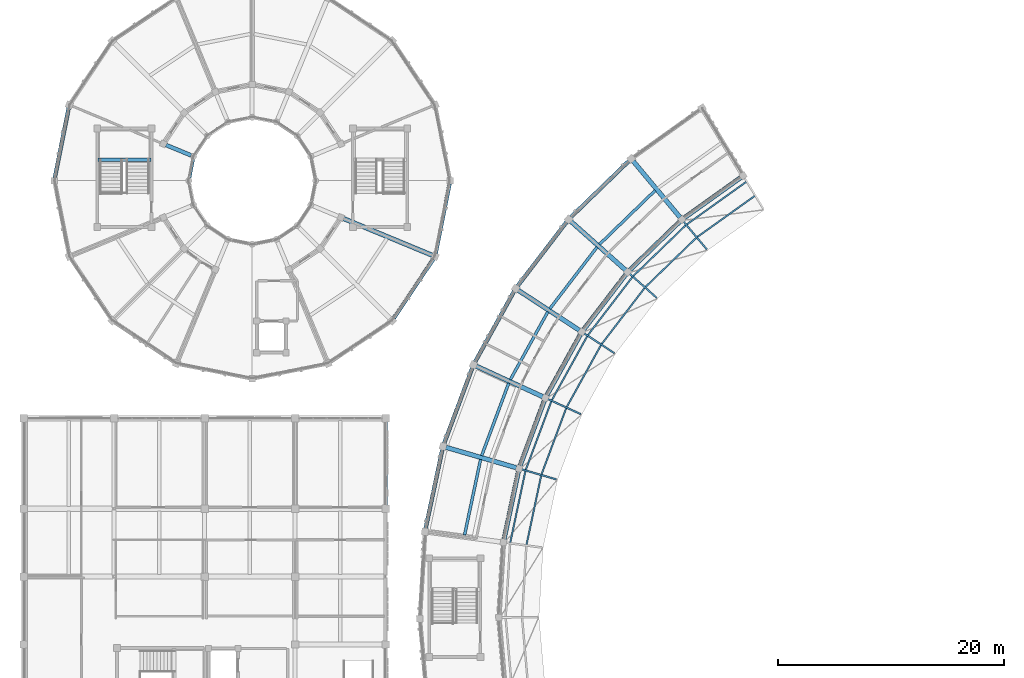
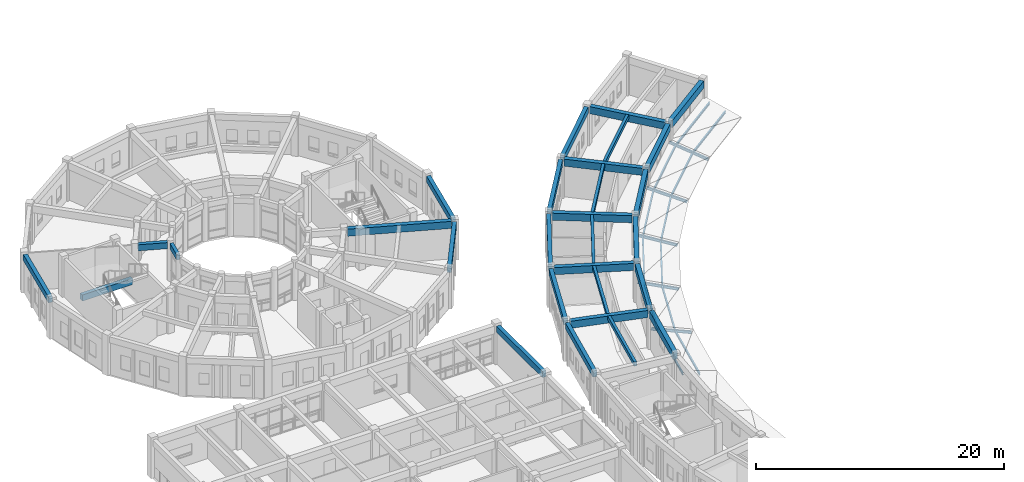
# One storey, part 30 of 112: 29 beams, 17 members.
"""IFC4 building model written with IfcOpenShell, lengths in metres."""

import ifcopenshell
import ifcopenshell.guid

model = None  # the IFC model being written
_history = None  # IfcOwnerHistory: only IFC2X3 demands one
_inside = {}  # id of a spatial element -> (the spatial element, [elements in it])
_under = {}  # id of a project, library or spatial element -> (it, [spatial elements below it])
_declared = {}  # id of a project -> (the project, [libraries it declares])
_typed = {}  # id of a type object -> (the type object, [elements of that type])
_made_of = {}  # id of a material, layer set ... -> (it, [elements and type objects made of it])


def new_model(schema):
    """Start an empty IFC model of exactly this schema.

    Asked for "IFC4X3", IfcOpenShell would pick the latest addendum, in which some entities
    have other attributes; the version numbers below select the first issue.
    IFC2X3 requires an IfcOwnerHistory on every rooted entity: one is made here for all.
    """
    global model, _history
    if schema == "IFC4X3":
        model = ifcopenshell.file(schema_version=(4, 3, 0, 0))
    else:
        model = ifcopenshell.file(schema=schema)
    _inside.clear()
    _under.clear()
    _declared.clear()
    _typed.clear()
    _made_of.clear()
    _history = None
    if model.schema == "IFC2X3":
        org = make("IfcOrganization", Name="unknown")
        user = make(
            "IfcPersonAndOrganization",
            ThePerson=make("IfcPerson", FamilyName="unknown"),
            TheOrganization=org,
        )
        app = make(
            "IfcApplication",
            ApplicationDeveloper=org,
            Version="unknown",
            ApplicationFullName="unknown",
            ApplicationIdentifier="unknown",
        )
        _history = make(
            "IfcOwnerHistory",
            OwningUser=user,
            OwningApplication=app,
            ChangeAction="ADDED",
            CreationDate=0,
        )
    return model


def make(cls, **values):
    """One entity of the class cls with the attributes given. An attribute that is None is left unset."""
    return model.create_entity(
        cls, **{name: value for name, value in values.items() if value is not None}
    )


def rooted(cls, **values):
    """An entity with a GlobalId (a new one), such as an element, a storey or a relation."""
    return make(cls, GlobalId=ifcopenshell.guid.new(), OwnerHistory=_history, **values)


def si_unit(unit_type, name, prefix=None):
    """IfcSIUnit, for example si_unit("LENGTHUNIT", "METRE", prefix="MILLI")."""
    return make("IfcSIUnit", UnitType=unit_type, Prefix=prefix, Name=name)


def assignment(units):
    """IfcUnitAssignment: the units of a project."""
    return None if units is None else make("IfcUnitAssignment", Units=units)


def point(xyz):
    """IfcCartesianPoint."""
    return None if xyz is None else make("IfcCartesianPoint", Coordinates=xyz)


def direction(xyz):
    """IfcDirection."""
    return None if xyz is None else make("IfcDirection", DirectionRatios=xyz)


def frame(location, z_axis=None, x_axis=None):
    """IfcAxis2Placement3D, a coordinate frame: its origin and axes. An axis left out is left unset."""
    return make(
        "IfcAxis2Placement3D",
        Location=point(location),
        Axis=direction(z_axis),
        RefDirection=direction(x_axis),
    )


def frame_2d(location, x_axis=None):
    """IfcAxis2Placement2D, a coordinate frame in the plane: its origin and x axis."""
    return make(
        "IfcAxis2Placement2D", Location=point(location), RefDirection=direction(x_axis)
    )


def origin():
    """The frame at (0, 0, 0) with its axes left unset."""
    return frame((0.0, 0.0, 0.0))


def origin_2d():
    """The frame at (0, 0) in the plane with its x axis left unset."""
    return frame_2d((0.0, 0.0))


def place(relative_to, where):
    """IfcLocalPlacement: puts the frame where relative to a parent placement (None: the world)."""
    return make(
        "IfcLocalPlacement", PlacementRelTo=relative_to, RelativePlacement=where
    )


def context(
    kind, dimensions, precision=None, world=None, true_north=None, identifier=None
):
    """IfcGeometricRepresentationContext, for example the 3D "Model" context."""
    return make(
        "IfcGeometricRepresentationContext",
        ContextIdentifier=identifier,
        ContextType=kind,
        CoordinateSpaceDimension=dimensions,
        Precision=precision,
        WorldCoordinateSystem=world,
        TrueNorth=true_north,
    )


def subcontext(parent, identifier, kind, view, scale=None):
    """IfcGeometricRepresentationSubContext, for example "Body" below "Model"."""
    return make(
        "IfcGeometricRepresentationSubContext",
        ContextIdentifier=identifier,
        ContextType=kind,
        ParentContext=parent,
        TargetScale=scale,
        TargetView=view,
    )


def project(units=None, contexts=None):
    """IfcProject with its units and contexts."""
    return rooted(
        "IfcProject",
        Name="project",
        RepresentationContexts=contexts,
        UnitsInContext=assignment(units),
    )


def spatial(cls, under=None, at=None, **own):
    """A site, building, storey or space (cls), placed at a placement, below another one or the project."""
    s = rooted(cls, ObjectPlacement=at, **own)
    if under is not None:
        _under.setdefault(under.id(), (under, []))[1].append(s)
    return s


def profile(cls, at=None, kind="AREA", **sizes):
    """A parametric profile (cls). Its sizes go by their IFC names, for example OverallWidth=200.0."""
    return make(cls, ProfileType=kind, Position=at, **sizes)


def rectangle(**sizes):
    """IfcRectangleProfileDef."""
    return profile("IfcRectangleProfileDef", **sizes)


def i_section(**sizes):
    """IfcIShapeProfileDef."""
    return profile("IfcIShapeProfileDef", **sizes)


def extrude(swept, where, along, depth):
    """IfcExtrudedAreaSolid: the profile swept, set in the frame where, extruded along a direction by depth."""
    return make(
        "IfcExtrudedAreaSolid",
        SweptArea=swept,
        Position=where,
        ExtrudedDirection=direction(along),
        Depth=depth,
    )


def shape(context_of_items, identifier, shape_type, items):
    """IfcShapeRepresentation: the items that make up one representation, for example the "Body"."""
    return make(
        "IfcShapeRepresentation",
        ContextOfItems=context_of_items,
        RepresentationIdentifier=identifier,
        RepresentationType=shape_type,
        Items=items,
    )


def material(Name=None, Category=None):
    """IfcMaterial."""
    return make("IfcMaterial", Name=Name, Category=Category)


def material_profile(
    of_material, cross_section, Name=None, Category=None, Priority=None
):
    """IfcMaterialProfile: a cross section and its material."""
    return make(
        "IfcMaterialProfile",
        Name=Name,
        Material=of_material,
        Profile=cross_section,
        Priority=Priority,
        Category=Category,
    )


def profile_set(profiles, Name=None, composite=None):
    """IfcMaterialProfileSet."""
    return make(
        "IfcMaterialProfileSet",
        Name=Name,
        MaterialProfiles=profiles,
        CompositeProfile=composite,
    )


def made_of(thing, what):
    """Note that an element or type object is made of a material, layer set ...; save() writes the relation."""
    if what is not None:
        _made_of.setdefault(what.id(), (what, []))[1].append(thing)
    return thing


def type_object(cls, material=None, **own):
    """A type object (cls), such as IfcWallType, which elements share."""
    return made_of(rooted(cls, **own), material)


def element(
    cls,
    number,
    at=None,
    inside=None,
    cuts=None,
    type_object=None,
    material=None,
    context=None,
    identifier="Body",
    shape_type=None,
    held_by="IfcProductDefinitionShape",
    body=None,
    shapes=None,
    **own,
):
    """One element of the class cls, such as IfcWall. Its Tag is "e" and its number.

    at: its placement. inside: the storey or other place that contains it. cuts: it is an
    opening in that element (IfcRelVoidsElement). A single representation is given by context,
    identifier, shape_type and body (its items); several are given by shapes. held_by: the class
    of the entity that holds the representations. save() writes the other relations.
    """
    e = rooted(cls, Tag="e%d" % number, ObjectPlacement=at, **own)
    if body is not None:
        shapes = [shape(context, identifier, shape_type, body)]
    if shapes is not None:
        e.Representation = make(held_by, Representations=shapes)
    if inside is not None:
        _inside.setdefault(inside.id(), (inside, []))[1].append(e)
    if cuts is not None:
        rooted(
            "IfcRelVoidsElement", RelatingBuildingElement=cuts, RelatedOpeningElement=e
        )
    if type_object is not None:
        _typed.setdefault(type_object.id(), (type_object, []))[1].append(e)
    return made_of(e, material)


def aggregate(whole, parts):
    """IfcRelAggregates: a whole, such as a stair, and the parts it consists of."""
    return rooted("IfcRelAggregates", RelatingObject=whole, RelatedObjects=parts)


def save(model, path):
    """Write the relations noted so far, then the file.

    IfcRelAggregates (storeys below a building ...), IfcRelContainedInSpatialStructure (elements
    in a storey), IfcRelDefinesByType, IfcRelAssociatesMaterial and IfcRelDeclares: one each for
    every whole, place, type object, material and project.
    """
    for whole, parts in _under.values():
        aggregate(whole, parts)
    for where, things in _inside.values():
        rooted(
            "IfcRelContainedInSpatialStructure",
            RelatedElements=things,
            RelatingStructure=where,
        )
    for kind, things in _typed.values():
        rooted("IfcRelDefinesByType", RelatedObjects=things, RelatingType=kind)
    for what, things in _made_of.values():
        rooted("IfcRelAssociatesMaterial", RelatedObjects=things, RelatingMaterial=what)
    for by, libraries in _declared.values():
        rooted("IfcRelDeclares", RelatingContext=by, RelatedDefinitions=libraries)
    model.write(path)


model = new_model("IFC4")

# Units and contexts
model_context = context("Model", 3, precision=1e-05, world=origin(), true_north=direction((0.0, 1.0)))
body_context = subcontext(model_context, "Body", "Model", "MODEL_VIEW")
ifc_project = project(units=[si_unit("LENGTHUNIT", "METRE"), si_unit("AREAUNIT", "SQUARE_METRE"), si_unit("VOLUMEUNIT", "CUBIC_METRE"), si_unit("PLANEANGLEUNIT", "RADIAN"), si_unit("MASSUNIT", "GRAM", prefix="KILO")], contexts=[model_context])

# Site, building, storey
site_placement = place(None, origin())
site = spatial("IfcSite", under=ifc_project, at=site_placement, CompositionType="ELEMENT")
building_placement = place(site_placement, origin())
building = spatial("IfcBuilding", under=site, at=building_placement, Name="Celadon Cloister-Ring School", CompositionType="ELEMENT")
storey_placement = place(building_placement, frame((0.0, 0.0, 8.5)))
storey = spatial("IfcBuildingStorey", under=building, at=storey_placement, Name="L02", CompositionType="ELEMENT", Elevation=8.5)

# Beams
ifc_material_1 = material(Name="Concrete C35/45", Category="concrete")
ifc_material_profile_1 = material_profile(ifc_material_1, rectangle(XDim=0.35009765625, YDim=0.60009765625, at=origin_2d()), Name="RC350X600")
ifc_profile_set_1 = profile_set([ifc_material_profile_1], Name="Concrete C35/45")
beam_type_1 = type_object("IfcBeamType", Name="BT-02", PredefinedType="BEAM", material=ifc_profile_set_1)
beam_1_placement = place(storey_placement, frame((12.577880859375, 100.156982421875, 3.47998046875), z_axis=(0.923932522988, -0.382555476978, 0.0), x_axis=(0.382555476978, 0.923932522988, 0.0)))
element("IfcBeam", 1, at=beam_1_placement, inside=storey, type_object=beam_type_1, Name="Beam 0745", PredefinedType="BEAM", context=body_context, shape_type="SweptSolid", body=[
    extrude(rectangle(XDim=0.35009765625, YDim=0.60009765625, at=origin_2d()), origin(), (0.0, 0.0, 1.0), 2.399658203125),
])
beam_2_placement = place(storey_placement, frame((32.0, 68.300048828125, 3.4599609375), z_axis=(0.0, 1.0, 0.0), x_axis=(-1.0, 0.0, 0.0)))
element("IfcBeam", 2, at=beam_2_placement, inside=storey, type_object=beam_type_1, Name="Beam 1593", PredefinedType="BEAM", context=body_context, shape_type="SweptSolid", body=[
    extrude(rectangle(XDim=0.35009765625, YDim=0.60009765625, at=origin_2d()), origin(), (0.0, 0.0, 1.0), 7.39990234375),
])
beam_3_placement = place(storey_placement, frame((6.550048828125, 98.85009765625, 1.419921875), z_axis=(1.0, 0.0, 0.0), x_axis=(0.0, 1.0, 0.0)))
element("IfcBeam", 3, at=beam_3_placement, inside=storey, type_object=beam_type_1, Name="Stair Landing Beam 1739", PredefinedType="BEAM", context=body_context, shape_type="SweptSolid", body=[
    extrude(rectangle(XDim=0.35009765625, YDim=0.60009765625, at=origin_2d()), origin(), (0.0, 0.0, 1.0), 4.699951171875),
])
ifc_material_2 = material(Name="Concrete C35/45", Category="concrete")
ifc_material_profile_2 = material_profile(ifc_material_2, rectangle(XDim=0.39990234375, YDim=0.699951171875, at=origin_2d()), Name="RC400X700")
ifc_profile_set_2 = profile_set([ifc_material_profile_2], Name="Concrete C35/45")
beam_type_2 = type_object("IfcBeamType", Name="GT-03", PredefinedType="USERDEFINED", material=ifc_profile_set_2)
beam_4_placement = place(storey_placement, frame((53.87890625, 98.72998046875, 3.449951171875), z_axis=(0.640358705807, -0.768075990965, 0.0), x_axis=(0.768075990965, 0.640358705807, 0.0)))
element("IfcBeam", 4, at=beam_4_placement, inside=storey, type_object=beam_type_2, Name="Beam 0398", ObjectType="GIRDER", PredefinedType="USERDEFINED", context=body_context, shape_type="SweptSolid", body=[
    extrude(rectangle(XDim=0.39990234375, YDim=0.699951171875, at=origin_2d()), origin(), (0.0, 0.0, 1.0), 6.474609375),
])
beam_5_placement = place(storey_placement, frame((48.373046875, 93.40087890625, 3.449951171875), z_axis=(0.746707851449, -0.665152151455, 0.0), x_axis=(0.665152151455, 0.746707851449, 0.0)))
element("IfcBeam", 5, at=beam_5_placement, inside=storey, type_object=beam_type_2, Name="Beam 0399", ObjectType="GIRDER", PredefinedType="USERDEFINED", context=body_context, shape_type="SweptSolid", body=[
    extrude(rectangle(XDim=0.39990234375, YDim=0.699951171875, at=origin_2d()), origin(), (0.0, 0.0, 1.0), 6.47509765625),
])
beam_6_placement = place(storey_placement, frame((43.714111328125, 87.31591796875, 3.449951171875), z_axis=(0.836913813129, -0.547334695953, 0.0), x_axis=(0.547334695953, 0.836913813129, 0.0)))
element("IfcBeam", 6, at=beam_6_placement, inside=storey, type_object=beam_type_2, Name="Beam 0400", ObjectType="GIRDER", PredefinedType="USERDEFINED", context=body_context, shape_type="SweptSolid", body=[
    extrude(rectangle(XDim=0.39990234375, YDim=0.699951171875, at=origin_2d()), origin(), (0.0, 0.0, 1.0), 6.474853515625),
])
beam_7_placement = place(storey_placement, frame((40.006103515625, 80.611083984375, 3.449951171875), z_axis=(0.908492742979, -0.417900629282, 0.0), x_axis=(0.417900629282, 0.908492742979, 0.0)))
element("IfcBeam", 7, at=beam_7_placement, inside=storey, type_object=beam_type_2, Name="Beam 0401", ObjectType="GIRDER", PredefinedType="USERDEFINED", context=body_context, shape_type="SweptSolid", body=[
    extrude(rectangle(XDim=0.39990234375, YDim=0.699951171875, at=origin_2d()), origin(), (0.0, 0.0, 1.0), 6.475341796875),
])
beam_8_placement = place(storey_placement, frame((37.3291015625, 73.430908203125, 3.449951171875), z_axis=(0.960318214268, -0.278906664217, 0.0), x_axis=(0.278906664217, 0.960318214268, 0.0)))
element("IfcBeam", 8, at=beam_8_placement, inside=storey, type_object=beam_type_2, Name="Beam 0402", ObjectType="GIRDER", PredefinedType="USERDEFINED", context=body_context, shape_type="SweptSolid", body=[
    extrude(rectangle(XDim=0.39990234375, YDim=0.699951171875, at=origin_2d()), origin(), (0.0, 0.0, 1.0), 6.474853515625),
])
beam_9_placement = place(storey_placement, frame((63.405029296875, 97.297119140625, 3.449951171875), z_axis=(-0.813463245268, -0.58161632422, 0.0), x_axis=(0.58161632422, -0.813463245268, 0.0)))
element("IfcBeam", 9, at=beam_9_placement, inside=storey, type_object=beam_type_2, Name="Beam 0430", ObjectType="GIRDER", PredefinedType="USERDEFINED", context=body_context, shape_type="SweptSolid", body=[
    extrude(rectangle(XDim=0.39990234375, YDim=0.699951171875, at=origin_2d()), origin(), (0.0, 0.0, 1.0), 6.16748046875),
])
beam_10_placement = place(storey_placement, frame((58.0048828125, 93.39111328125, 3.449951171875), z_axis=(-0.718437447035, -0.695591571756, 0.0), x_axis=(0.695591571756, -0.718437447035, 0.0)))
element("IfcBeam", 10, at=beam_10_placement, inside=storey, type_object=beam_type_2, Name="Beam 0433", ObjectType="GIRDER", PredefinedType="USERDEFINED", context=body_context, shape_type="SweptSolid", body=[
    extrude(rectangle(XDim=0.39990234375, YDim=0.699951171875, at=origin_2d()), origin(), (0.0, 0.0, 1.0), 6.166015625),
])
beam_11_placement = place(storey_placement, frame((53.242919921875, 88.72998046875, 3.449951171875), z_axis=(-0.607887885185, -0.794022870606, 0.0), x_axis=(0.794022870606, -0.607887885185, 0.0)))
element("IfcBeam", 11, at=beam_11_placement, inside=storey, type_object=beam_type_2, Name="Beam 0436", ObjectType="GIRDER", PredefinedType="USERDEFINED", context=body_context, shape_type="SweptSolid", body=[
    extrude(rectangle(XDim=0.39990234375, YDim=0.699951171875, at=origin_2d()), origin(), (0.0, 0.0, 1.0), 6.167236328125),
])
beam_12_placement = place(storey_placement, frame((49.220947265625, 83.416015625, 3.449951171875), z_axis=(-0.483920761049, -0.875111819727, 0.0), x_axis=(0.875111819727, -0.483920761049, 0.0)))
element("IfcBeam", 12, at=beam_12_placement, inside=storey, type_object=beam_type_2, Name="Beam 0439", ObjectType="GIRDER", PredefinedType="USERDEFINED", context=body_context, shape_type="SweptSolid", body=[
    extrude(rectangle(XDim=0.39990234375, YDim=0.699951171875, at=origin_2d()), origin(), (0.0, 0.0, 1.0), 6.166015625),
])
for number, where, z_axis, x_axis, name in (
    (13, (46.029052734375, 77.56689453125, 3.449951171875), (-0.349465513072, -0.936949227639, 0.0), (0.936949227639, -0.349465513072, 0.0), "Beam 0442"),
    (14, (43.735107421875, 71.31005859375, 3.449951171875), (-0.207097779253, -0.978320249115, 0.0), (0.978320249115, -0.207097779253, 0.0), "Beam 0445"),
):
    element("IfcBeam", number, at=place(storey_placement, frame(where, z_axis=z_axis, x_axis=x_axis)), inside=storey, type_object=beam_type_2, Name=name, ObjectType="GIRDER", PredefinedType="USERDEFINED", context=body_context, shape_type="SweptSolid", body=[
        extrude(rectangle(XDim=0.39990234375, YDim=0.699951171875, at=origin_2d()), origin(), (0.0, 0.0, 1.0), 6.166748046875),
    ])
beam_13_placement = place(storey_placement, frame((36.114013671875, 90.407958984375, 3.429931640625), z_axis=(-0.923896411609, 0.382642680076, 0.0), x_axis=(-0.382642680076, -0.923896411609, 0.0)))
element("IfcBeam", 15, at=beam_13_placement, inside=storey, type_object=beam_type_2, Name="Beam 0756", ObjectType="GIRDER", PredefinedType="USERDEFINED", context=body_context, shape_type="SweptSolid", body=[
    extrude(rectangle(XDim=0.39990234375, YDim=0.699951171875, at=origin_2d()), origin(), (0.0, 0.0, 1.0), 8.47509765625),
])
ifc_material_3 = material(Name="Concrete C35/45", Category="concrete")
ifc_material_profile_3 = material_profile(ifc_material_3, rectangle(XDim=0.25, YDim=0.39990234375, at=origin_2d()), Name="RC250X400")
ifc_profile_set_3 = profile_set([ifc_material_profile_3], Name="Concrete C35/45")
beam_type_3 = type_object("IfcBeamType", Name="JT-02", PredefinedType="JOIST", material=ifc_profile_set_3)
beam_14_placement = place(storey_placement, frame((55.818115234375, 96.131103515625, 3.60009765625), z_axis=(-0.718568166396, -0.695456533683, 0.0), x_axis=(0.695456533683, -0.718568166396, 0.0)))
element("IfcBeam", 16, at=beam_14_placement, inside=storey, type_object=beam_type_3, Name="Beam 0434", PredefinedType="JOIST", context=body_context, shape_type="SweptSolid", body=[
    extrude(rectangle(XDim=0.25, YDim=0.39990234375, at=origin_2d()), origin(), (0.0, 0.0, 1.0), 6.834716796875),
])
beam_15_placement = place(storey_placement, frame((50.675048828125, 91.116943359375, 3.60009765625), z_axis=(-0.607998808463, -0.793937937692, 0.0), x_axis=(0.793937937692, -0.607998808463, 0.0)))
element("IfcBeam", 17, at=beam_15_placement, inside=storey, type_object=beam_type_3, Name="Beam 0437", PredefinedType="JOIST", context=body_context, shape_type="SweptSolid", body=[
    extrude(rectangle(XDim=0.25, YDim=0.39990234375, at=origin_2d()), origin(), (0.0, 0.0, 1.0), 6.83544921875),
])
beam_16_placement = place(storey_placement, frame((46.327880859375, 85.39794921875, 3.60009765625), z_axis=(-0.483807076249, -0.875174675692, 0.0), x_axis=(0.875174675692, -0.483807076249, 0.0)))
element("IfcBeam", 18, at=beam_16_placement, inside=storey, type_object=beam_type_3, Name="Beam 0440", PredefinedType="JOIST", context=body_context, shape_type="SweptSolid", body=[
    extrude(rectangle(XDim=0.25, YDim=0.39990234375, at=origin_2d()), origin(), (0.0, 0.0, 1.0), 6.835205078125),
])
beam_17_placement = place(storey_placement, frame((42.875, 79.09912109375, 3.60009765625), z_axis=(-0.349380854663, -0.936980799374, 0.0), x_axis=(0.936980799374, -0.349380854663, 0.0)))
element("IfcBeam", 19, at=beam_17_placement, inside=storey, type_object=beam_type_3, Name="Beam 0443", PredefinedType="JOIST", context=body_context, shape_type="SweptSolid", body=[
    extrude(rectangle(XDim=0.25, YDim=0.39990234375, at=origin_2d()), origin(), (0.0, 0.0, 1.0), 6.834716796875),
])
beam_18_placement = place(storey_placement, frame((40.389892578125, 72.360107421875, 3.60009765625), z_axis=(-0.20712821328, -0.978313806129, 0.0), x_axis=(0.978313806129, -0.20712821328, 0.0)))
element("IfcBeam", 20, at=beam_18_placement, inside=storey, type_object=beam_type_3, Name="Beam 0446", PredefinedType="JOIST", context=body_context, shape_type="SweptSolid", body=[
    extrude(rectangle(XDim=0.25, YDim=0.39990234375, at=origin_2d()), origin(), (0.0, 0.0, 1.0), 6.835205078125),
])

# Members
ifc_material_4 = material(Name="Structural steel S355JR", Category="steel")
ifc_material_profile_4 = material_profile(ifc_material_4, i_section(OverallWidth=0.133056640625, OverallDepth=0.20703125, WebThickness=0.005859375, FlangeThickness=0.00830078125, at=origin_2d()), Name="W200X27")
ifc_profile_set_4 = profile_set([ifc_material_profile_4], Name="Structural steel S355JR")
member_type_1 = type_object("IfcMemberType", Name="MP-04", PredefinedType="PURLIN", material=ifc_profile_set_4)
member_1_placement = place(storey_placement, frame((64.674072265625, 95.69091796875, 1.23291015625), z_axis=(-0.813453389474, -0.581630108534, 0.0), x_axis=(0.581630108534, -0.813453389474, 0.0)))
element("IfcMember", 21, at=member_1_placement, inside=storey, type_object=member_type_1, Name="Structural Member 0073", PredefinedType="PURLIN", context=body_context, shape_type="SweptSolid", body=[
    extrude(i_section(OverallWidth=0.133056640625, OverallDepth=0.20703125, WebThickness=0.005859375, FlangeThickness=0.00830078125, at=origin_2d()), origin(), (0.0, 0.0, 1.0), 6.363037109375),
])
member_2_placement = place(storey_placement, frame((63.919921875, 96.929931640625, 1.62890625), z_axis=(-0.813402272309, -0.581701593089, 0.0), x_axis=(0.581701593089, -0.813402272309, 0.0)))
element("IfcMember", 22, at=member_2_placement, inside=storey, type_object=member_type_1, Name="Structural Member 0074", PredefinedType="PURLIN", context=body_context, shape_type="SweptSolid", body=[
    extrude(i_section(OverallWidth=0.133056640625, OverallDepth=0.20703125, WebThickness=0.005859375, FlangeThickness=0.00830078125, at=origin_2d()), origin(), (0.0, 0.0, 1.0), 6.5771484375),
])
member_3_placement = place(storey_placement, frame((59.498046875, 91.989990234375, 1.23291015625), z_axis=(-0.71856193518, -0.695462971919, 0.0), x_axis=(0.695462971919, -0.71856193518, 0.0)))
element("IfcMember", 23, at=member_3_placement, inside=storey, type_object=member_type_1, Name="Structural Member 0079", PredefinedType="PURLIN", context=body_context, shape_type="SweptSolid", body=[
    extrude(i_section(OverallWidth=0.133056640625, OverallDepth=0.20703125, WebThickness=0.005859375, FlangeThickness=0.00830078125, at=origin_2d()), origin(), (0.0, 0.0, 1.0), 6.36279296875),
])
member_4_placement = place(storey_placement, frame((58.570068359375, 93.10400390625, 1.62890625), z_axis=(-0.718572826018, -0.695451719179, 0.0), x_axis=(0.695451719179, -0.718572826018, 0.0)))
element("IfcMember", 24, at=member_4_placement, inside=storey, type_object=member_type_1, Name="Structural Member 0080", PredefinedType="PURLIN", context=body_context, shape_type="SweptSolid", body=[
    extrude(i_section(OverallWidth=0.133056640625, OverallDepth=0.20703125, WebThickness=0.005859375, FlangeThickness=0.00830078125, at=origin_2d()), origin(), (0.0, 0.0, 1.0), 6.578369140625),
])
member_5_placement = place(storey_placement, frame((54.926025390625, 87.56494140625, 1.23291015625), z_axis=(-0.607908612819, -0.794007001519, 0.0), x_axis=(0.794007001519, -0.607908612819, 0.0)))
element("IfcMember", 25, at=member_5_placement, inside=storey, type_object=member_type_1, Name="Structural Member 0084", PredefinedType="PURLIN", context=body_context, shape_type="SweptSolid", body=[
    extrude(i_section(OverallWidth=0.133056640625, OverallDepth=0.20703125, WebThickness=0.005859375, FlangeThickness=0.00830078125, at=origin_2d()), origin(), (0.0, 0.0, 1.0), 6.362548828125),
])
member_6_placement = place(storey_placement, frame((53.843017578125, 88.529052734375, 1.62890625), z_axis=(-0.607987283215, -0.793946763612, 0.0), x_axis=(0.793946763612, -0.607987283215, 0.0)))
element("IfcMember", 26, at=member_6_placement, inside=storey, type_object=member_type_1, Name="Structural Member 0085", PredefinedType="PURLIN", context=body_context, shape_type="SweptSolid", body=[
    extrude(i_section(OverallWidth=0.133056640625, OverallDepth=0.20703125, WebThickness=0.005859375, FlangeThickness=0.00830078125, at=origin_2d()), origin(), (0.0, 0.0, 1.0), 6.577392578125),
])
member_7_placement = place(storey_placement, frame((51.05810546875, 82.512939453125, 1.23291015625), z_axis=(-0.484058884886, -0.875035425547, 0.0), x_axis=(0.875035425547, -0.484058884886, 0.0)))
element("IfcMember", 27, at=member_7_placement, inside=storey, type_object=member_type_1, Name="Structural Member 0089", PredefinedType="PURLIN", context=body_context, shape_type="SweptSolid", body=[
    extrude(i_section(OverallWidth=0.133056640625, OverallDepth=0.20703125, WebThickness=0.005859375, FlangeThickness=0.00830078125, at=origin_2d()), origin(), (0.0, 0.0, 1.0), 6.363037109375),
])
member_8_placement = place(storey_placement, frame((49.843994140625, 83.306884765625, 1.62890625), z_axis=(-0.483883617115, -0.875132358611, 0.0), x_axis=(0.875132358611, -0.483883617115, 0.0)))
element("IfcMember", 28, at=member_8_placement, inside=storey, type_object=member_type_1, Name="Structural Member 0090", PredefinedType="PURLIN", context=body_context, shape_type="SweptSolid", body=[
    extrude(i_section(OverallWidth=0.133056640625, OverallDepth=0.20703125, WebThickness=0.005859375, FlangeThickness=0.00830078125, at=origin_2d()), origin(), (0.0, 0.0, 1.0), 6.578125),
])
member_9_placement = place(storey_placement, frame((47.97802734375, 76.945068359375, 1.23291015625), z_axis=(-0.349377881864, -0.936981907864, 0.0), x_axis=(0.936981907864, -0.349377881864, 0.0)))
element("IfcMember", 29, at=member_9_placement, inside=storey, type_object=member_type_1, Name="Structural Member 0094", PredefinedType="PURLIN", context=body_context, shape_type="SweptSolid", body=[
    extrude(i_section(OverallWidth=0.133056640625, OverallDepth=0.20703125, WebThickness=0.005859375, FlangeThickness=0.00830078125, at=origin_2d()), origin(), (0.0, 0.0, 1.0), 6.363037109375),
])
member_10_placement = place(storey_placement, frame((46.660888671875, 77.550048828125, 1.62890625), z_axis=(-0.349349310127, -0.936992561077, 0.0), x_axis=(0.936992561077, -0.349349310127, 0.0)))
element("IfcMember", 30, at=member_10_placement, inside=storey, type_object=member_type_1, Name="Structural Member 0095", PredefinedType="PURLIN", context=body_context, shape_type="SweptSolid", body=[
    extrude(i_section(OverallWidth=0.133056640625, OverallDepth=0.20703125, WebThickness=0.005859375, FlangeThickness=0.00830078125, at=origin_2d()), origin(), (0.0, 0.0, 1.0), 6.57763671875),
])
member_11_placement = place(storey_placement, frame((45.7548828125, 70.98291015625, 1.23291015625), z_axis=(-0.206973423298, -0.978346565409, 0.0), x_axis=(0.978346565409, -0.206973423298, 0.0)))
element("IfcMember", 31, at=member_11_placement, inside=storey, type_object=member_type_1, Name="Structural Member 0099", PredefinedType="PURLIN", context=body_context, shape_type="SweptSolid", body=[
    extrude(i_section(OverallWidth=0.133056640625, OverallDepth=0.20703125, WebThickness=0.005859375, FlangeThickness=0.00830078125, at=origin_2d()), origin(), (0.0, 0.0, 1.0), 6.362548828125),
])
member_12_placement = place(storey_placement, frame((44.363037109375, 71.386962890625, 1.62890625), z_axis=(-0.207074735669, -0.978325126861, 0.0), x_axis=(0.978325126861, -0.207074735669, 0.0)))
element("IfcMember", 32, at=member_12_placement, inside=storey, type_object=member_type_1, Name="Structural Member 0100", PredefinedType="PURLIN", context=body_context, shape_type="SweptSolid", body=[
    extrude(i_section(OverallWidth=0.133056640625, OverallDepth=0.20703125, WebThickness=0.005859375, FlangeThickness=0.00830078125, at=origin_2d()), origin(), (0.0, 0.0, 1.0), 6.57763671875),
])
ifc_material_5 = material(Name="Structural steel S355JR", Category="steel")
ifc_material_profile_5 = material_profile(ifc_material_5, i_section(OverallWidth=0.14599609375, OverallDepth=0.258056640625, WebThickness=0.006103515625, FlangeThickness=0.009033203125, at=origin_2d()), Name="W250X33")
ifc_profile_set_5 = profile_set([ifc_material_profile_5], Name="Structural steel S355JR")
member_type_2 = type_object("IfcMemberType", Name="MR-06", PredefinedType="RAFTER", material=ifc_profile_set_5)
member_13_placement = place(storey_placement, frame((60.363037109375, 90.952880859375, 0.9130859375), z_axis=(-0.618718209788, 0.741828351872, 0.258608726139), x_axis=(-0.767952437677, -0.640506872301, 0.0)))
element("IfcMember", 33, at=member_13_placement, inside=storey, type_object=member_type_2, Name="Structural Member 0003", PredefinedType="RAFTER", context=body_context, shape_type="SweptSolid", body=[
    extrude(i_section(OverallWidth=0.14599609375, OverallDepth=0.258056640625, WebThickness=0.006103515625, FlangeThickness=0.009033203125, at=origin_2d()), origin(), (0.0, 0.0, 1.0), 3.468505859375),
])
member_14_placement = place(storey_placement, frame((55.93408203125, 86.6669921875, 0.912109375), z_axis=(-0.72143120561, 0.642382786847, 0.25861432817), x_axis=(-0.665005849073, -0.746838148931, 0.0)))
element("IfcMember", 34, at=member_14_placement, inside=storey, type_object=member_type_2, Name="Structural Member 0005", PredefinedType="RAFTER", context=body_context, shape_type="SweptSolid", body=[
    extrude(i_section(OverallWidth=0.14599609375, OverallDepth=0.258056640625, WebThickness=0.006103515625, FlangeThickness=0.009033203125, at=origin_2d()), origin(), (0.0, 0.0, 1.0), 3.46826171875),
])
member_15_placement = place(storey_placement, frame((52.18701171875, 81.77392578125, 0.9130859375), z_axis=(-0.808317147024, 0.52888062089, 0.258667119429), x_axis=(-0.547514441681, -0.836796233351, 0.0)))
element("IfcMember", 35, at=member_15_placement, inside=storey, type_object=member_type_2, Name="Structural Member 0007", PredefinedType="RAFTER", context=body_context, shape_type="SweptSolid", body=[
    extrude(i_section(OverallWidth=0.14599609375, OverallDepth=0.258056640625, WebThickness=0.006103515625, FlangeThickness=0.009033203125, at=origin_2d()), origin(), (0.0, 0.0, 1.0), 3.4677734375),
])
for number, where, z_axis, x_axis, name in (
    (36, (49.205078125, 76.381103515625, 0.912109375), (-0.877734894887, 0.403353993721, 0.258625230878), (-0.417560341125, -0.908649196071, 0.0), "Structural Member 0009"),
    (37, (47.052001953125, 70.60595703125, 0.9130859375), (-0.927588640649, 0.26961102631, 0.258629480591), (-0.279107202293, -0.960259948987, 0.0), "Structural Member 0011"),
):
    element("IfcMember", number, at=place(storey_placement, frame(where, z_axis=z_axis, x_axis=x_axis)), inside=storey, type_object=member_type_2, Name=name, PredefinedType="RAFTER", context=body_context, shape_type="SweptSolid", body=[
        extrude(i_section(OverallWidth=0.14599609375, OverallDepth=0.258056640625, WebThickness=0.006103515625, FlangeThickness=0.009033203125, at=origin_2d()), origin(), (0.0, 0.0, 1.0), 3.46826171875),
    ])

# Beams
ifc_material_6 = material(Name="Concrete C35/45", Category="concrete")
ifc_material_profile_6 = material_profile(ifc_material_6, rectangle(XDim=0.35009765625, YDim=0.60009765625, at=origin_2d()), Name="RC350X600")
ifc_profile_set_6 = profile_set([ifc_material_profile_6], Name="Concrete C35/45")
beam_type_4 = type_object("IfcBeamType", Name="SP-01", PredefinedType="SPANDREL", material=ifc_profile_set_6)
beam_19_placement = place(storey_placement, frame((53.5048828125, 98.75, 3.5), z_axis=(-0.718465669268, -0.695562421414, 0.0), x_axis=(0.695562421414, -0.718465669268, 0.0)))
element("IfcBeam", 38, at=beam_19_placement, inside=storey, type_object=beam_type_4, Name="Beam 0432", PredefinedType="SPANDREL", context=body_context, shape_type="SweptSolid", body=[
    extrude(rectangle(XDim=0.35009765625, YDim=0.60009765625, at=origin_2d()), origin(), (0.0, 0.0, 1.0), 7.152587890625),
])
beam_20_placement = place(storey_placement, frame((48.0009765625, 93.365966796875, 3.5), z_axis=(-0.607967976917, -0.793961547585, 0.0), x_axis=(0.793961547585, -0.607967976917, 0.0)))
element("IfcBeam", 39, at=beam_20_placement, inside=storey, type_object=beam_type_4, Name="Beam 0435", PredefinedType="SPANDREL", context=body_context, shape_type="SweptSolid", body=[
    extrude(rectangle(XDim=0.35009765625, YDim=0.60009765625, at=origin_2d()), origin(), (0.0, 0.0, 1.0), 7.155029296875),
])
beam_21_placement = place(storey_placement, frame((43.35107421875, 87.22607421875, 3.5), z_axis=(-0.484030801816, -0.875050960169, 0.0), x_axis=(0.875050960169, -0.484030801816, 0.0)))
element("IfcBeam", 40, at=beam_21_placement, inside=storey, type_object=beam_type_4, Name="Beam 0438", PredefinedType="SPANDREL", context=body_context, shape_type="SweptSolid", body=[
    extrude(rectangle(XDim=0.35009765625, YDim=0.60009765625, at=origin_2d()), origin(), (0.0, 0.0, 1.0), 7.15283203125),
])
beam_22_placement = place(storey_placement, frame((39.659912109375, 80.468017578125, 3.5), z_axis=(-0.349383465048, -0.936979826011, 0.0), x_axis=(0.936979826011, -0.349383465048, 0.0)))
element("IfcBeam", 41, at=beam_22_placement, inside=storey, type_object=beam_type_4, Name="Beam 0441", PredefinedType="SPANDREL", context=body_context, shape_type="SweptSolid", body=[
    extrude(rectangle(XDim=0.35009765625, YDim=0.60009765625, at=origin_2d()), origin(), (0.0, 0.0, 1.0), 7.152587890625),
])
beam_23_placement = place(storey_placement, frame((37.008056640625, 73.239013671875, 3.5), z_axis=(-0.207174668575, -0.97830396948, 0.0), x_axis=(0.97830396948, -0.207174668575, 0.0)))
element("IfcBeam", 42, at=beam_23_placement, inside=storey, type_object=beam_type_4, Name="Beam 0444", PredefinedType="SPANDREL", context=body_context, shape_type="SweptSolid", body=[
    extrude(rectangle(XDim=0.35009765625, YDim=0.60009765625, at=origin_2d()), origin(), (0.0, 0.0, 1.0), 7.154296875),
])
beam_24_placement = place(storey_placement, frame((3.97802734375, 103.427001953125, 3.47998046875), z_axis=(-0.195001619501, -0.980802920261, 0.0), x_axis=(0.980802920261, -0.195001619501, 0.0)))
element("IfcBeam", 43, at=beam_24_placement, inside=storey, type_object=beam_type_4, Name="Beam 0782", PredefinedType="SPANDREL", context=body_context, shape_type="SweptSolid", body=[
    extrude(rectangle(XDim=0.35009765625, YDim=0.60009765625, at=origin_2d()), origin(), (0.0, 0.0, 1.0), 6.277587890625),
])
for number, where, z_axis, x_axis, name in (
    (44, (32.72705078125, 84.85498046875, 3.47998046875), (0.555660177561, 0.831409506244, 0.0), (-0.831409506244, 0.555660177561, 0.0), "Beam 0802"),
    (45, (36.422119140625, 90.572998046875, 3.47998046875), (0.194964206518, 0.980810357907, 0.0), (-0.980810357907, 0.194964206518, 0.0), "Beam 0806"),
):
    element("IfcBeam", number, at=place(storey_placement, frame(where, z_axis=z_axis, x_axis=x_axis)), inside=storey, type_object=beam_type_4, Name=name, PredefinedType="SPANDREL", context=body_context, shape_type="SweptSolid", body=[
        extrude(rectangle(XDim=0.35009765625, YDim=0.60009765625, at=origin_2d()), origin(), (0.0, 0.0, 1.0), 6.27734375),
    ])
ifc_material_7 = material(Name="Concrete C35/45", Category="concrete")
ifc_material_profile_7 = material_profile(ifc_material_7, rectangle(XDim=0.300048828125, YDim=0.550048828125, at=origin_2d()), Name="RC300X550")
ifc_profile_set_7 = profile_set([ifc_material_profile_7], Name="Concrete C35/45")
beam_type_5 = type_object("IfcBeamType", Name="SP-02", PredefinedType="SPANDREL", material=ifc_profile_set_7)
beam_25_placement = place(storey_placement, frame((14.97705078125, 98.89794921875, 3.5048828125), z_axis=(-0.194722830887, -0.980858307367, 0.0), x_axis=(0.980858307367, -0.194722830887, 0.0)))
element("IfcBeam", 46, at=beam_25_placement, inside=storey, type_object=beam_type_5, Name="Beam 0783", PredefinedType="SPANDREL", context=body_context, shape_type="SweptSolid", body=[
    extrude(rectangle(XDim=0.300048828125, YDim=0.550048828125, at=origin_2d()), origin(), (0.0, 0.0, 1.0), 1.68505859375),
])

save(model, "model.ifc")
